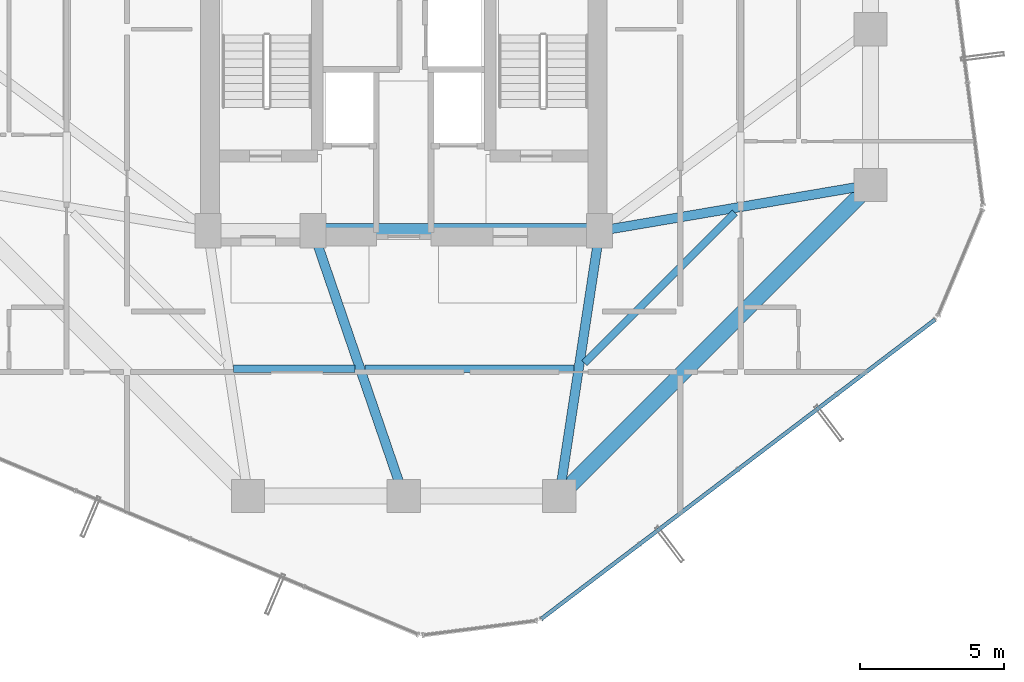
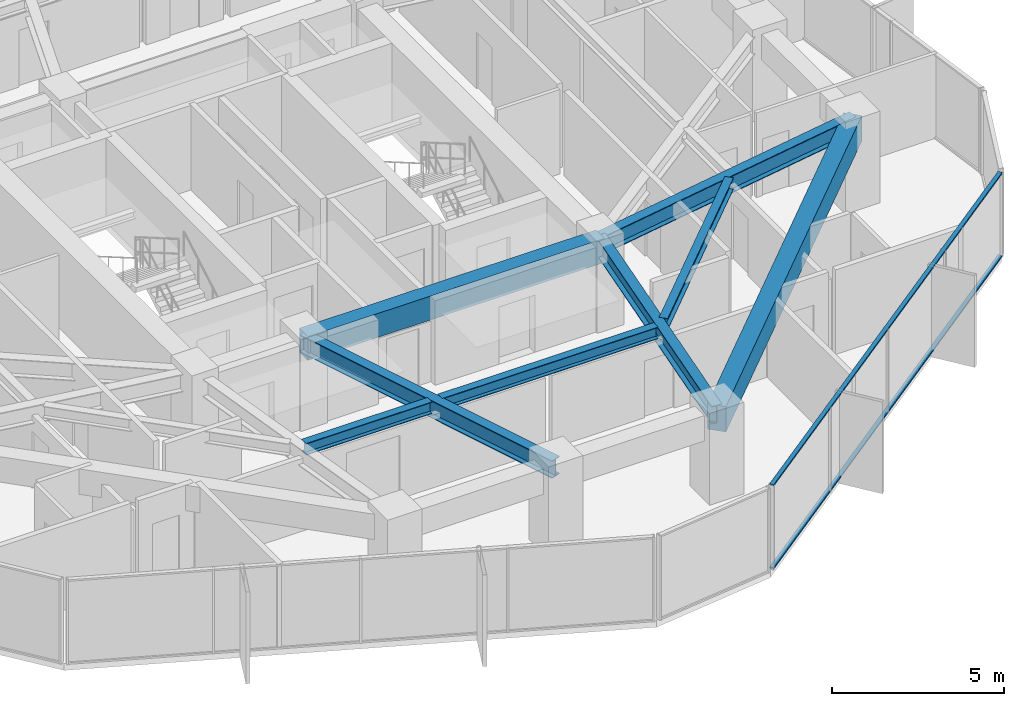
# One storey, part 8 of 33: 8 beams, 2 members, 1 element without a shape of its own.
"""IFC4 building model written with IfcOpenShell, lengths in metres."""

import ifcopenshell
import ifcopenshell.guid

model = None  # the IFC model being written
_history = None  # IfcOwnerHistory: only IFC2X3 demands one
_inside = {}  # id of a spatial element -> (the spatial element, [elements in it])
_under = {}  # id of a project, library or spatial element -> (it, [spatial elements below it])
_declared = {}  # id of a project -> (the project, [libraries it declares])
_typed = {}  # id of a type object -> (the type object, [elements of that type])
_made_of = {}  # id of a material, layer set ... -> (it, [elements and type objects made of it])


def new_model(schema):
    """Start an empty IFC model of exactly this schema.

    Asked for "IFC4X3", IfcOpenShell would pick the latest addendum, in which some entities
    have other attributes; the version numbers below select the first issue.
    IFC2X3 requires an IfcOwnerHistory on every rooted entity: one is made here for all.
    """
    global model, _history
    if schema == "IFC4X3":
        model = ifcopenshell.file(schema_version=(4, 3, 0, 0))
    else:
        model = ifcopenshell.file(schema=schema)
    _inside.clear()
    _under.clear()
    _declared.clear()
    _typed.clear()
    _made_of.clear()
    _history = None
    if model.schema == "IFC2X3":
        org = make("IfcOrganization", Name="unknown")
        user = make(
            "IfcPersonAndOrganization",
            ThePerson=make("IfcPerson", FamilyName="unknown"),
            TheOrganization=org,
        )
        app = make(
            "IfcApplication",
            ApplicationDeveloper=org,
            Version="unknown",
            ApplicationFullName="unknown",
            ApplicationIdentifier="unknown",
        )
        _history = make(
            "IfcOwnerHistory",
            OwningUser=user,
            OwningApplication=app,
            ChangeAction="ADDED",
            CreationDate=0,
        )
    return model


def make(cls, **values):
    """One entity of the class cls with the attributes given. An attribute that is None is left unset."""
    return model.create_entity(
        cls, **{name: value for name, value in values.items() if value is not None}
    )


def rooted(cls, **values):
    """An entity with a GlobalId (a new one), such as an element, a storey or a relation."""
    return make(cls, GlobalId=ifcopenshell.guid.new(), OwnerHistory=_history, **values)


def si_unit(unit_type, name, prefix=None):
    """IfcSIUnit, for example si_unit("LENGTHUNIT", "METRE", prefix="MILLI")."""
    return make("IfcSIUnit", UnitType=unit_type, Prefix=prefix, Name=name)


def assignment(units):
    """IfcUnitAssignment: the units of a project."""
    return None if units is None else make("IfcUnitAssignment", Units=units)


def point(xyz):
    """IfcCartesianPoint."""
    return None if xyz is None else make("IfcCartesianPoint", Coordinates=xyz)


def direction(xyz):
    """IfcDirection."""
    return None if xyz is None else make("IfcDirection", DirectionRatios=xyz)


def frame(location, z_axis=None, x_axis=None):
    """IfcAxis2Placement3D, a coordinate frame: its origin and axes. An axis left out is left unset."""
    return make(
        "IfcAxis2Placement3D",
        Location=point(location),
        Axis=direction(z_axis),
        RefDirection=direction(x_axis),
    )


def frame_2d(location, x_axis=None):
    """IfcAxis2Placement2D, a coordinate frame in the plane: its origin and x axis."""
    return make(
        "IfcAxis2Placement2D", Location=point(location), RefDirection=direction(x_axis)
    )


def origin():
    """The frame at (0, 0, 0) with its axes left unset."""
    return frame((0.0, 0.0, 0.0))


def origin_2d():
    """The frame at (0, 0) in the plane with its x axis left unset."""
    return frame_2d((0.0, 0.0))


def place(relative_to, where):
    """IfcLocalPlacement: puts the frame where relative to a parent placement (None: the world)."""
    return make(
        "IfcLocalPlacement", PlacementRelTo=relative_to, RelativePlacement=where
    )


def context(
    kind, dimensions, precision=None, world=None, true_north=None, identifier=None
):
    """IfcGeometricRepresentationContext, for example the 3D "Model" context."""
    return make(
        "IfcGeometricRepresentationContext",
        ContextIdentifier=identifier,
        ContextType=kind,
        CoordinateSpaceDimension=dimensions,
        Precision=precision,
        WorldCoordinateSystem=world,
        TrueNorth=true_north,
    )


def subcontext(parent, identifier, kind, view, scale=None):
    """IfcGeometricRepresentationSubContext, for example "Body" below "Model"."""
    return make(
        "IfcGeometricRepresentationSubContext",
        ContextIdentifier=identifier,
        ContextType=kind,
        ParentContext=parent,
        TargetScale=scale,
        TargetView=view,
    )


def project(units=None, contexts=None):
    """IfcProject with its units and contexts."""
    return rooted(
        "IfcProject",
        Name="project",
        RepresentationContexts=contexts,
        UnitsInContext=assignment(units),
    )


def spatial(cls, under=None, at=None, **own):
    """A site, building, storey or space (cls), placed at a placement, below another one or the project."""
    s = rooted(cls, ObjectPlacement=at, **own)
    if under is not None:
        _under.setdefault(under.id(), (under, []))[1].append(s)
    return s


def profile(cls, at=None, kind="AREA", **sizes):
    """A parametric profile (cls). Its sizes go by their IFC names, for example OverallWidth=200.0."""
    return make(cls, ProfileType=kind, Position=at, **sizes)


def rectangle(**sizes):
    """IfcRectangleProfileDef."""
    return profile("IfcRectangleProfileDef", **sizes)


def hollow_rectangle(**sizes):
    """IfcRectangleHollowProfileDef."""
    return profile("IfcRectangleHollowProfileDef", **sizes)


def i_section(**sizes):
    """IfcIShapeProfileDef."""
    return profile("IfcIShapeProfileDef", **sizes)


def extrude(swept, where, along, depth):
    """IfcExtrudedAreaSolid: the profile swept, set in the frame where, extruded along a direction by depth."""
    return make(
        "IfcExtrudedAreaSolid",
        SweptArea=swept,
        Position=where,
        ExtrudedDirection=direction(along),
        Depth=depth,
    )


def shape(context_of_items, identifier, shape_type, items):
    """IfcShapeRepresentation: the items that make up one representation, for example the "Body"."""
    return make(
        "IfcShapeRepresentation",
        ContextOfItems=context_of_items,
        RepresentationIdentifier=identifier,
        RepresentationType=shape_type,
        Items=items,
    )


def source(mapping_origin, context_of_items, identifier, shape_type, items):
    """IfcRepresentationMap: a shape defined once, which mapped items show again and again."""
    return make(
        "IfcRepresentationMap",
        MappingOrigin=mapping_origin,
        MappedRepresentation=shape(context_of_items, identifier, shape_type, items),
    )


def transform(
    local_origin,
    x_axis=None,
    y_axis=None,
    z_axis=None,
    scale=None,
    scale2=None,
    scale3=None,
    uniform=True,
):
    """IfcCartesianTransformationOperator3D, or its non-uniform kind. x_axis, y_axis, z_axis: its Axis1, 2, 3."""
    if uniform:
        return make(
            "IfcCartesianTransformationOperator3D",
            Axis1=direction(x_axis),
            Axis2=direction(y_axis),
            LocalOrigin=point(local_origin),
            Scale=scale,
            Axis3=direction(z_axis),
        )
    return make(
        "IfcCartesianTransformationOperator3DnonUniform",
        Axis1=direction(x_axis),
        Axis2=direction(y_axis),
        LocalOrigin=point(local_origin),
        Scale=scale,
        Axis3=direction(z_axis),
        Scale2=scale2,
        Scale3=scale3,
    )


def mapped(mapping_source, mapping_target):
    """IfcMappedItem: shows the shape of a source again, moved by a transform."""
    return make(
        "IfcMappedItem", MappingSource=mapping_source, MappingTarget=mapping_target
    )


def material(Name=None, Category=None):
    """IfcMaterial."""
    return make("IfcMaterial", Name=Name, Category=Category)


def layer(
    of_material, thickness, ventilated=None, Name=None, Category=None, Priority=None
):
    """IfcMaterialLayer: one layer of a wall or slab, of a material (None: an air gap)."""
    return make(
        "IfcMaterialLayer",
        Material=of_material,
        LayerThickness=thickness,
        IsVentilated=ventilated,
        Name=Name,
        Category=Category,
        Priority=Priority,
    )


def layer_set(layers, Name=None):
    """IfcMaterialLayerSet."""
    return make("IfcMaterialLayerSet", MaterialLayers=layers, LayerSetName=Name)


def material_profile(
    of_material, cross_section, Name=None, Category=None, Priority=None
):
    """IfcMaterialProfile: a cross section and its material."""
    return make(
        "IfcMaterialProfile",
        Name=Name,
        Material=of_material,
        Profile=cross_section,
        Priority=Priority,
        Category=Category,
    )


def profile_set(profiles, Name=None, composite=None):
    """IfcMaterialProfileSet."""
    return make(
        "IfcMaterialProfileSet",
        Name=Name,
        MaterialProfiles=profiles,
        CompositeProfile=composite,
    )


def made_of(thing, what):
    """Note that an element or type object is made of a material, layer set ...; save() writes the relation."""
    if what is not None:
        _made_of.setdefault(what.id(), (what, []))[1].append(thing)
    return thing


def type_object(cls, material=None, **own):
    """A type object (cls), such as IfcWallType, which elements share."""
    return made_of(rooted(cls, **own), material)


def element(
    cls,
    number,
    at=None,
    inside=None,
    cuts=None,
    type_object=None,
    material=None,
    context=None,
    identifier="Body",
    shape_type=None,
    held_by="IfcProductDefinitionShape",
    body=None,
    shapes=None,
    **own,
):
    """One element of the class cls, such as IfcWall. Its Tag is "e" and its number.

    at: its placement. inside: the storey or other place that contains it. cuts: it is an
    opening in that element (IfcRelVoidsElement). A single representation is given by context,
    identifier, shape_type and body (its items); several are given by shapes. held_by: the class
    of the entity that holds the representations. save() writes the other relations.
    """
    e = rooted(cls, Tag="e%d" % number, ObjectPlacement=at, **own)
    if body is not None:
        shapes = [shape(context, identifier, shape_type, body)]
    if shapes is not None:
        e.Representation = make(held_by, Representations=shapes)
    if inside is not None:
        _inside.setdefault(inside.id(), (inside, []))[1].append(e)
    if cuts is not None:
        rooted(
            "IfcRelVoidsElement", RelatingBuildingElement=cuts, RelatedOpeningElement=e
        )
    if type_object is not None:
        _typed.setdefault(type_object.id(), (type_object, []))[1].append(e)
    return made_of(e, material)


def aggregate(whole, parts):
    """IfcRelAggregates: a whole, such as a stair, and the parts it consists of."""
    return rooted("IfcRelAggregates", RelatingObject=whole, RelatedObjects=parts)


def save(model, path):
    """Write the relations noted so far, then the file.

    IfcRelAggregates (storeys below a building ...), IfcRelContainedInSpatialStructure (elements
    in a storey), IfcRelDefinesByType, IfcRelAssociatesMaterial and IfcRelDeclares: one each for
    every whole, place, type object, material and project.
    """
    for whole, parts in _under.values():
        aggregate(whole, parts)
    for where, things in _inside.values():
        rooted(
            "IfcRelContainedInSpatialStructure",
            RelatedElements=things,
            RelatingStructure=where,
        )
    for kind, things in _typed.values():
        rooted("IfcRelDefinesByType", RelatedObjects=things, RelatingType=kind)
    for what, things in _made_of.values():
        rooted("IfcRelAssociatesMaterial", RelatedObjects=things, RelatingMaterial=what)
    for by, libraries in _declared.values():
        rooted("IfcRelDeclares", RelatingContext=by, RelatedDefinitions=libraries)
    model.write(path)


model = new_model("IFC4")

# Units and contexts
model_context = context("Model", 3, precision=1e-05, world=origin(), true_north=direction((0.0, 1.0)))
body_context = subcontext(model_context, "Body", "Model", "MODEL_VIEW")
ifc_project = project(units=[si_unit("LENGTHUNIT", "METRE"), si_unit("AREAUNIT", "SQUARE_METRE"), si_unit("VOLUMEUNIT", "CUBIC_METRE"), si_unit("PLANEANGLEUNIT", "RADIAN"), si_unit("MASSUNIT", "GRAM", prefix="KILO")], contexts=[model_context])

# Site, building, storey
site_placement = place(None, origin())
site = spatial("IfcSite", under=ifc_project, at=site_placement, CompositionType="ELEMENT")
building_placement = place(site_placement, origin())
building = spatial("IfcBuilding", under=site, at=building_placement, Name="Veraguas Prism Commons", CompositionType="ELEMENT")
storey_placement = place(building_placement, frame((0.0, 0.0, 152.25)))
storey = spatial("IfcBuildingStorey", under=building, at=storey_placement, Name="L43", CompositionType="ELEMENT", Elevation=152.25)

# Beams
ifc_material_1 = material(Name="Concrete C50/60", Category="concrete")
ifc_material_profile_1 = material_profile(ifc_material_1, rectangle(XDim=0.5, YDim=0.85009765625, at=origin_2d()), Name="RC500X850")
ifc_profile_set_1 = profile_set([ifc_material_profile_1], Name="Concrete C50/60")
beam_type_1 = type_object("IfcBeamType", Name="Core Coupling Beam RC 500x850", PredefinedType="BEAM", material=ifc_profile_set_1)
beam_1_placement = place(storey_placement, frame((20.85009765625, 17.0, 2.574951171875), z_axis=(1.0, 0.0, 0.0), x_axis=(0.0, 1.0, 0.0)))
element("IfcBeam", 1, at=beam_1_placement, inside=storey, type_object=beam_type_1, Name="Core Coupling Beam L43-CRS2", PredefinedType="BEAM", context=body_context, shape_type="SweptSolid", body=[
    extrude(rectangle(XDim=0.5, YDim=0.85009765625, at=origin_2d()), origin(), (0.0, 0.0, 1.0), 9.949951171875),
])
ifc_material_2 = material(Name="Steel ASTM A992 Grade 50", Category="steel")
ifc_material_profile_2 = material_profile(ifc_material_2, i_section(OverallWidth=0.260986328125, OverallDepth=0.419921875, WebThickness=0.01171875, FlangeThickness=0.019287109375, at=origin_2d()), Name="W410X114")
ifc_profile_set_2 = profile_set([ifc_material_profile_2], Name="Steel ASTM A992 Grade 50")
beam_type_2 = type_object("IfcBeamType", Name="Lower Floor Joist W410x114", PredefinedType="JOIST", material=ifc_profile_set_2)
beam_2_placement = place(storey_placement, frame((18.091796875, 12.216064453125, 2.7900390625), z_axis=(1.0, 0.0, 0.0), x_axis=(0.0, 1.0, 0.0)))
element("IfcBeam", 2, at=beam_2_placement, inside=storey, type_object=beam_type_2, Name="Composite Floor Joist L43-JS10", PredefinedType="JOIST", context=body_context, shape_type="SweptSolid", body=[
    extrude(i_section(OverallWidth=0.260986328125, OverallDepth=0.419921875, WebThickness=0.01171875, FlangeThickness=0.019287109375, at=origin_2d()), origin(), (0.0, 0.0, 1.0), 4.22509765625),
])
beam_3_placement = place(storey_placement, frame((22.6591796875, 12.216064453125, 2.7900390625), z_axis=(1.0, 0.0, 0.0), x_axis=(0.0, 1.0, 0.0)))
element("IfcBeam", 3, at=beam_3_placement, inside=storey, type_object=beam_type_2, Name="Composite Floor Joist L43-JS11", PredefinedType="JOIST", context=body_context, shape_type="SweptSolid", body=[
    extrude(i_section(OverallWidth=0.260986328125, OverallDepth=0.419921875, WebThickness=0.01171875, FlangeThickness=0.019287109375, at=origin_2d()), origin(), (0.0, 0.0, 1.0), 7.2490234375),
])
beam_4_placement = place(storey_placement, frame((30.265380859375, 12.4091796875, 2.7900390625), z_axis=(0.707090260193, 0.707123301794, 0.0), x_axis=(-0.707123301794, 0.707090260193, 0.0)))
element("IfcBeam", 4, at=beam_4_placement, inside=storey, type_object=beam_type_2, Name="Composite Floor Joist L43-JS12", PredefinedType="JOIST", context=body_context, shape_type="SweptSolid", body=[
    extrude(i_section(OverallWidth=0.260986328125, OverallDepth=0.419921875, WebThickness=0.01171875, FlangeThickness=0.019287109375, at=origin_2d()), origin(), (0.0, 0.0, 1.0), 7.388916015625),
])
ifc_material_profile_3 = material_profile(ifc_material_1, rectangle(XDim=0.550048828125, YDim=0.89990234375, at=origin_2d()), Name="RC550X900")
ifc_profile_set_3 = profile_set([ifc_material_profile_3], Name="Concrete C50/60")
beam_type_3 = type_object("IfcBeamType", Name="Perimeter Spandrel Lower RC 550x900", PredefinedType="SPANDREL", material=ifc_profile_set_3)
beam_5_placement = place(storey_placement, frame((29.39990234375, 7.800048828125, 2.550048828125), z_axis=(0.707106781187, 0.707106781187, 0.0), x_axis=(-0.707106781187, 0.707106781187, 0.0)))
element("IfcBeam", 5, at=beam_5_placement, inside=storey, type_object=beam_type_3, Name="Perimeter Spandrel Beam L43-SP12", PredefinedType="SPANDREL", context=body_context, shape_type="SweptSolid", body=[
    extrude(rectangle(XDim=0.550048828125, YDim=0.89990234375, at=origin_2d()), origin(), (0.0, 0.0, 1.0), 15.273681640625),
])
ifc_material_profile_4 = material_profile(ifc_material_2, i_section(OverallWidth=0.327880859375, OverallDepth=0.6220703125, WebThickness=0.015380859375, FlangeThickness=0.0244140625, at=origin_2d()), Name="W610X195")
ifc_profile_set_4 = profile_set([ifc_material_profile_4], Name="Steel ASTM A992 Grade 50")
beam_type_4 = type_object("IfcBeamType", Name="Zone 2 Radial Girder W610x195", PredefinedType="BEAM", material=ifc_profile_set_4)
beam_6_placement = place(storey_placement, frame((40.199951171875, 18.60009765625, 2.68896484375), z_axis=(-0.985819187151, -0.1678109956, 0.0), x_axis=(0.1678109956, -0.985819187151, 0.0)))
element("IfcBeam", 6, at=beam_6_placement, inside=storey, type_object=beam_type_4, Name="Radial Floor Girder L43-RD01", PredefinedType="BEAM", context=body_context, shape_type="SweptSolid", body=[
    extrude(i_section(OverallWidth=0.327880859375, OverallDepth=0.6220703125, WebThickness=0.015380859375, FlangeThickness=0.0244140625, at=origin_2d()), origin(), (0.0, 0.0, 1.0), 9.53515625),
])
beam_7_placement = place(storey_placement, frame((24.0, 7.800048828125, 2.68896484375), z_axis=(-0.323922482989, 0.946083624747, 0.0), x_axis=(-0.946083624747, -0.323922482989, 0.0)))
element("IfcBeam", 7, at=beam_7_placement, inside=storey, type_object=beam_type_4, Name="Radial Floor Girder L43-RD11", PredefinedType="BEAM", context=body_context, shape_type="SweptSolid", body=[
    extrude(i_section(OverallWidth=0.327880859375, OverallDepth=0.6220703125, WebThickness=0.015380859375, FlangeThickness=0.0244140625, at=origin_2d()), origin(), (0.0, 0.0, 1.0), 9.724365234375),
])
beam_8_placement = place(storey_placement, frame((29.39990234375, 7.800048828125, 2.68896484375), z_axis=(0.150458162136, 0.98861637729, 0.0), x_axis=(-0.98861637729, 0.150458162136, 0.0)))
element("IfcBeam", 8, at=beam_8_placement, inside=storey, type_object=beam_type_4, Name="Radial Floor Girder L43-RD12", PredefinedType="BEAM", context=body_context, shape_type="SweptSolid", body=[
    extrude(i_section(OverallWidth=0.327880859375, OverallDepth=0.6220703125, WebThickness=0.015380859375, FlangeThickness=0.0244140625, at=origin_2d()), origin(), (0.0, 0.0, 1.0), 9.305908203125),
])

# Curtain wall, members
ifc_material_3 = material(Name="Anodised aluminium EN AW-6063 T6", Category="aluminium")
ifc_layer = layer(ifc_material_3, 0.169921875, Name="Unitised Flush Curtain Wall Zone 2", Category="aluminium")
ifc_layer_set = layer_set([ifc_layer], Name="Anodised aluminium EN AW-6063 T6")
curtain_wall_type = type_object("IfcCurtainWallType", Name="Unitised Flush Curtain Wall Zone 2", PredefinedType="NOTDEFINED", material=ifc_layer_set)
curtain_wall_placement = place(storey_placement, origin())
curtain_wall = element("IfcCurtainWall", 9, at=curtain_wall_placement, inside=storey, type_object=curtain_wall_type, Name="Tower Facade Curtain Wall L43-F5", PredefinedType="NOTDEFINED")
ifc_material_profile_5 = material_profile(ifc_material_3, hollow_rectangle(XDim=0.054931640625, YDim=0.135009765625, WallThickness=0.0029296875, at=origin_2d()), Name="AL55X135X3")
ifc_profile_set_5 = profile_set([ifc_material_profile_5], Name="Anodised aluminium EN AW-6063 T6")
member_type = type_object("IfcMemberType", Name="Curtain Wall Transom Standard AL 55x135x3", PredefinedType="USERDEFINED", material=ifc_profile_set_5)
shared_shape = source(origin(), body_context, "Body", "SweptSolid", [
    extrude(hollow_rectangle(XDim=0.054931640625, YDim=0.135009765625, WallThickness=0.0029296875, at=origin_2d()), origin(), (0.0, 0.0, 1.0), 17.17431640625),
])
member_1_placement = place(storey_placement, frame((28.77197265625, 3.531982421875, 0.027587890625), z_axis=(0.796102474225, 0.605161838299, 0.0), x_axis=(0.0, 0.0, 1.0)))
member_1 = element("IfcMember", 10, at=member_1_placement, type_object=member_type, Name="CW-Z2 Transom 1", ObjectType="TRANSOM", PredefinedType="USERDEFINED", context=body_context, shape_type="MappedRepresentation", body=[
    mapped(shared_shape, transform((0.0, 0.0, 0.0), scale=1.0)),
])
member_2_placement = place(storey_placement, frame((28.77197265625, 3.531982421875, 2.972412109375), z_axis=(0.796102474225, 0.605161838299, 0.0), x_axis=(0.0, 0.0, 1.0)))
member_2 = element("IfcMember", 11, at=member_2_placement, type_object=member_type, Name="CW-Z2 Transom 2", ObjectType="TRANSOM", PredefinedType="USERDEFINED", context=body_context, shape_type="MappedRepresentation", body=[
    mapped(shared_shape, transform((0.0, 0.0, 0.0), scale=1.0)),
])
aggregate(curtain_wall, [member_1, member_2])

save(model, "model.ifc")
